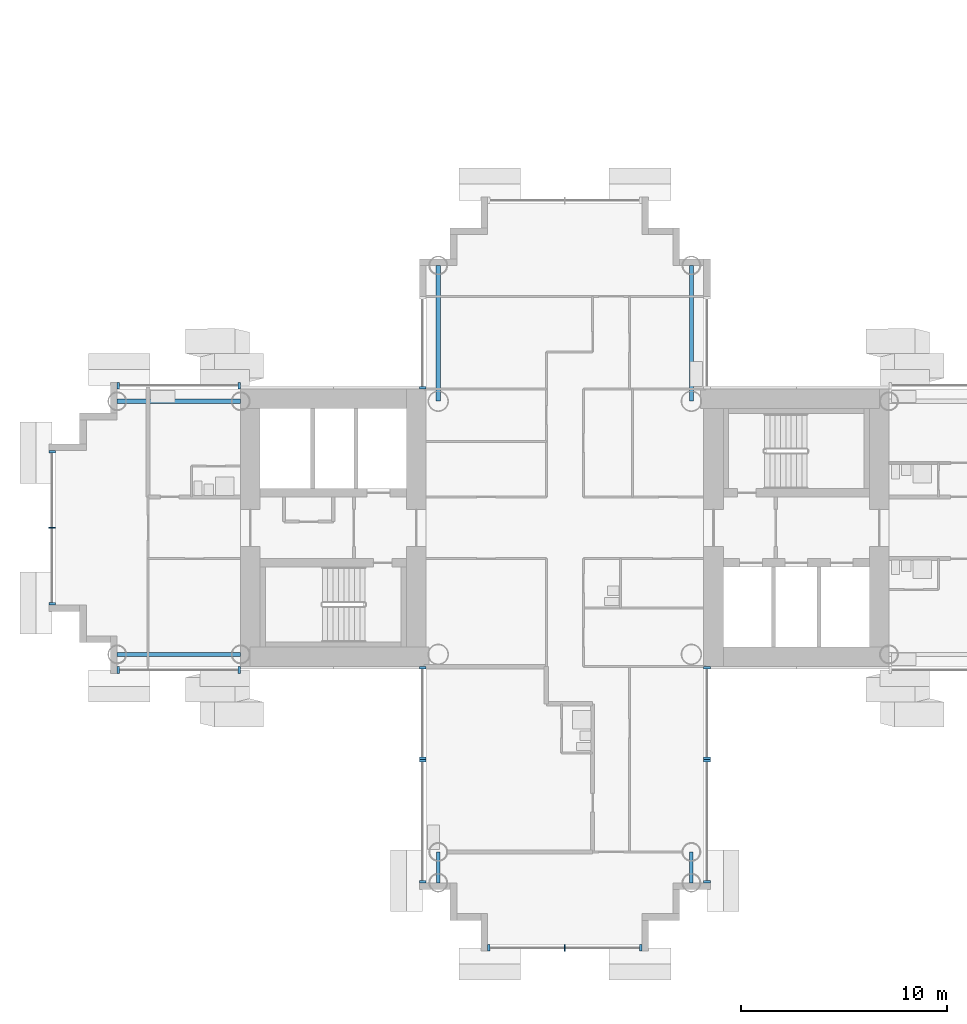
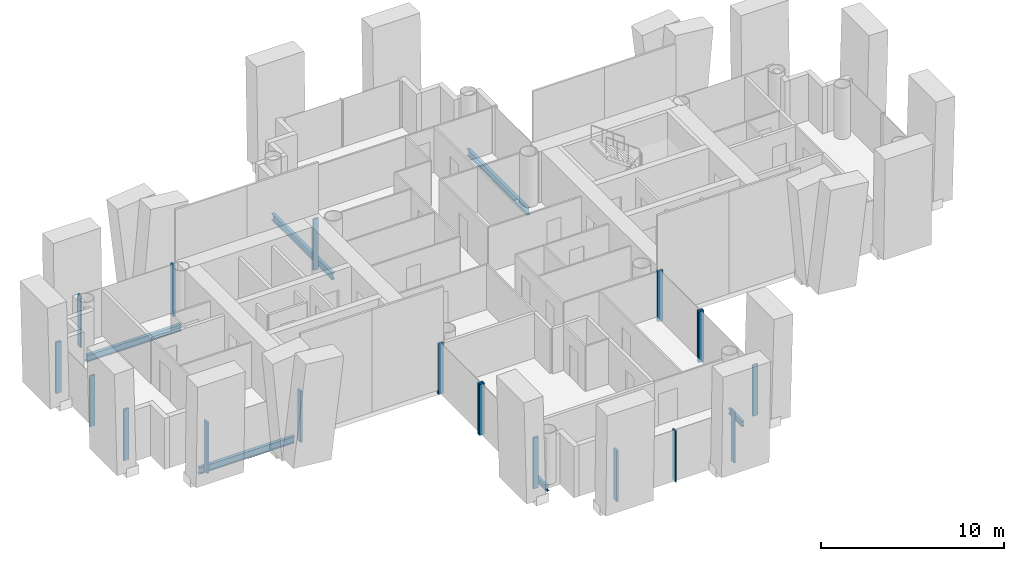
# One storey, part 3 of 20: 19 members, 6 beams, 9 elements without a shape of their own.
"""IFC4 building model written with IfcOpenShell, lengths in metres."""

from ifc_helpers import new_model, si_unit, direction, frame, origin, origin_2d, place, context, subcontext, project, spatial, rectangle, i_section, extrude, material, layer, layer_set, material_profile, profile_set, type_object, element, aggregate, save


model = new_model("IFC4")

# Units and contexts
model_context = context("Model", 3, precision=1e-05, world=origin(), true_north=direction((0.0, 1.0)))
body_context = subcontext(model_context, "Body", "Model", "MODEL_VIEW")
ifc_project = project(units=[si_unit("LENGTHUNIT", "METRE"), si_unit("AREAUNIT", "SQUARE_METRE"), si_unit("VOLUMEUNIT", "CUBIC_METRE"), si_unit("PLANEANGLEUNIT", "RADIAN"), si_unit("MASSUNIT", "GRAM", prefix="KILO")], contexts=[model_context])

# Site, building, storey
site_placement = place(None, origin())
site = spatial("IfcSite", under=ifc_project, at=site_placement, CompositionType="ELEMENT")
building_placement = place(site_placement, origin())
building = spatial("IfcBuilding", under=site, at=building_placement, Name="Ipe Terrace Towers", CompositionType="ELEMENT")
storey_placement = place(building_placement, frame((0.0, 0.0, 100.39990234375)))
storey = spatial("IfcBuildingStorey", under=building, at=storey_placement, Name="L27", CompositionType="ELEMENT", Elevation=100.39990234375)

# Beams
ifc_material_1 = material(Name="Steel S355", Category="steel")
ifc_material_profile_1 = material_profile(ifc_material_1, i_section(OverallWidth=0.175048828125, OverallDepth=0.35009765625, WebThickness=0.007080078125, FlangeThickness=0.010986328125, at=origin_2d()), Name="H-350x175x7x11")
ifc_profile_set_1 = profile_set([ifc_material_profile_1], Name="Steel S355")
beam_type_1 = type_object("IfcBeamType", Name="H04 EDGE BEAM H-350x175x7x11", PredefinedType="BEAM", material=ifc_profile_set_1)
for number, where, z_axis, x_axis, name in (
    (1, (-42.14990234375, -15.75, -0.574951171875), (0.0, -1.0, 0.0), (1.0, 0.0, 0.0), "Edge beam T1-EB-D03-D05"),
    (2, (-29.85009765625, -15.75, -0.574951171875), (0.0, -1.0, 0.0), (1.0, 0.0, 0.0), "Edge beam T1-EB-D04-D06"),
):
    element("IfcBeam", number, at=place(storey_placement, frame(where, z_axis=z_axis, x_axis=x_axis)), inside=storey, type_object=beam_type_1, Name=name, PredefinedType="BEAM", context=body_context, shape_type="SweptSolid", body=[
        extrude(i_section(OverallWidth=0.175048828125, OverallDepth=0.35009765625, WebThickness=0.007080078125, FlangeThickness=0.010986328125, at=origin_2d()), origin(), (0.0, 0.0, 1.0), 1.5),
    ])
ifc_material_2 = material(Name="Steel S355", Category="steel")
ifc_material_profile_2 = material_profile(ifc_material_2, i_section(OverallWidth=0.199951171875, OverallDepth=0.449951171875, WebThickness=0.009033203125, FlangeThickness=0.013916015625, at=origin_2d()), Name="H-450x200x9x14")
ifc_profile_set_2 = profile_set([ifc_material_profile_2], Name="Steel S355")
beam_type_2 = type_object("IfcBeamType", Name="H08 EDGE BEAM H-450x200x9x14", PredefinedType="BEAM", material=ifc_profile_set_2)
for number, where, z_axis, x_axis, name in (
    (3, (-29.85009765625, 12.75, -0.625), (0.0, -1.0, 0.0), (1.0, 0.0, 0.0), "Edge beam T1-EB-B01-E03"),
    (4, (-42.14990234375, 12.75, -0.625), (0.0, -1.0, 0.0), (1.0, 0.0, 0.0), "Edge beam T1-EB-B02-E04"),
):
    element("IfcBeam", number, at=place(storey_placement, frame(where, z_axis=z_axis, x_axis=x_axis)), inside=storey, type_object=beam_type_2, Name=name, PredefinedType="BEAM", context=body_context, shape_type="SweptSolid", body=[
        extrude(i_section(OverallWidth=0.199951171875, OverallDepth=0.449951171875, WebThickness=0.009033203125, FlangeThickness=0.013916015625, at=origin_2d()), origin(), (0.0, 0.0, 1.0), 6.60009765625),
    ])
for number, where, z_axis, x_axis, name in (
    (5, (-51.75, -6.14990234375, -0.625), (-1.0, 0.0, 0.0), (0.0, -1.0, 0.0), "Edge beam T1-EB-C01-C03"),
    (6, (-51.75, 6.14990234375, -0.625), (-1.0, 0.0, 0.0), (0.0, -1.0, 0.0), "Edge beam T1-EB-C02-C04"),
):
    element("IfcBeam", number, at=place(storey_placement, frame(where, z_axis=z_axis, x_axis=x_axis)), inside=storey, type_object=beam_type_2, Name=name, PredefinedType="BEAM", context=body_context, shape_type="SweptSolid", body=[
        extrude(i_section(OverallWidth=0.199951171875, OverallDepth=0.449951171875, WebThickness=0.009033203125, FlangeThickness=0.013916015625, at=origin_2d()), origin(), (0.0, 0.0, 1.0), 6.0),
    ])

# Curtain wall, members
ifc_material_3 = material(Name="Aluminium alloy 6063-T6", Category="aluminium")
ifc_layer = layer(ifc_material_3, 0.320068359375)
ifc_layer_set = layer_set([ifc_layer], Name="TOWER UNITISED CURTAIN WALL")
curtain_wall_type = type_object("IfcCurtainWallType", Name="TOWER UNITISED CURTAIN WALL", PredefinedType="NOTDEFINED", material=ifc_layer_set)
curtain_wall_1_placement = place(storey_placement, origin())
curtain_wall_1 = element("IfcCurtainWall", 7, at=curtain_wall_1_placement, inside=storey, type_object=curtain_wall_type, Name="T1-CW-L27-04a curtain wall", PredefinedType="NOTDEFINED")
ifc_material_4 = material(Name="Aluminium alloy 6063-T6", Category="aluminium")
ifc_material_profile_3 = material_profile(ifc_material_4, rectangle(XDim=0.320068359375, YDim=0.1201171875, at=origin_2d()), Name="TOWER UNITISED CORNER MULLION 320 x 120")
ifc_profile_set_3 = profile_set([ifc_material_profile_3], Name="Aluminium alloy 6063-T6")
member_type_1 = type_object("IfcMemberType", Name="TOWER UNITISED CORNER MULLION 320 x 120", PredefinedType="MULLION", material=ifc_profile_set_3)
member_1_placement = place(storey_placement, frame((-57.68994140625, -6.909912109375, -0.2998046875), z_axis=(0.0, 0.0, 1.0), x_axis=(0.0, -1.0, 0.0)))
member_1 = element("IfcMember", 8, at=member_1_placement, type_object=member_type_1, Name="T1-CW-L27-04a mullion 1", PredefinedType="MULLION", context=body_context, shape_type="SweptSolid", body=[
    extrude(rectangle(XDim=0.320068359375, YDim=0.1201171875, at=origin_2d()), origin(), (0.0, 0.0, 1.0), 3.39990234375),
])
member_2_placement = place(storey_placement, frame((-51.81103515625, -6.909912109375, -0.2998046875), z_axis=(0.0, 0.0, 1.0), x_axis=(0.0, -1.0, 0.0)))
member_2 = element("IfcMember", 9, at=member_2_placement, type_object=member_type_1, Name="T1-CW-L27-04a mullion 2", PredefinedType="MULLION", context=body_context, shape_type="SweptSolid", body=[
    extrude(rectangle(XDim=0.320068359375, YDim=0.1201171875, at=origin_2d()), origin(), (0.0, 0.0, 1.0), 3.39990234375),
])
aggregate(curtain_wall_1, [member_1, member_2])

curtain_wall_2_placement = place(storey_placement, origin())
curtain_wall_2 = element("IfcCurtainWall", 10, at=curtain_wall_2_placement, inside=storey, type_object=curtain_wall_type, Name="T1-CW-L27-06a curtain wall", PredefinedType="NOTDEFINED")
member_3_placement = place(storey_placement, frame((-42.909912109375, -6.81005859375, -0.2998046875), z_axis=(0.0, 0.0, 1.0), x_axis=(-1.0, 0.0, 0.0)))
member_3 = element("IfcMember", 11, at=member_3_placement, type_object=member_type_1, Name="T1-CW-L27-06a mullion 1", PredefinedType="MULLION", context=body_context, shape_type="SweptSolid", body=[
    extrude(rectangle(XDim=0.320068359375, YDim=0.1201171875, at=origin_2d()), origin(), (0.0, 0.0, 1.0), 3.39990234375),
])
member_4_placement = place(storey_placement, frame((-42.909912109375, -11.18994140625, -0.2998046875), z_axis=(0.0, 0.0, 1.0), x_axis=(-1.0, 0.0, 0.0)))
member_4 = element("IfcMember", 12, at=member_4_placement, type_object=member_type_1, Name="T1-CW-L27-06a mullion 2", PredefinedType="MULLION", context=body_context, shape_type="SweptSolid", body=[
    extrude(rectangle(XDim=0.320068359375, YDim=0.1201171875, at=origin_2d()), origin(), (0.0, 0.0, 1.0), 3.39990234375),
])
aggregate(curtain_wall_2, [member_3, member_4])

curtain_wall_3_placement = place(storey_placement, origin())
curtain_wall_3 = element("IfcCurtainWall", 13, at=curtain_wall_3_placement, inside=storey, type_object=curtain_wall_type, Name="T1-CW-L27-07a curtain wall", PredefinedType="NOTDEFINED")
member_5_placement = place(storey_placement, frame((-42.909912109375, -11.31005859375, -0.2998046875), z_axis=(0.0, 0.0, 1.0), x_axis=(-1.0, 0.0, 0.0)))
member_5 = element("IfcMember", 14, at=member_5_placement, type_object=member_type_1, Name="T1-CW-L27-07a mullion 1", PredefinedType="MULLION", context=body_context, shape_type="SweptSolid", body=[
    extrude(rectangle(XDim=0.320068359375, YDim=0.1201171875, at=origin_2d()), origin(), (0.0, 0.0, 1.0), 3.39990234375),
])
member_6_placement = place(storey_placement, frame((-42.909912109375, -17.18994140625, -0.2998046875), z_axis=(0.0, 0.0, 1.0), x_axis=(-1.0, 0.0, 0.0)))
member_6 = element("IfcMember", 15, at=member_6_placement, type_object=member_type_1, Name="T1-CW-L27-07a mullion 2", PredefinedType="MULLION", context=body_context, shape_type="SweptSolid", body=[
    extrude(rectangle(XDim=0.320068359375, YDim=0.1201171875, at=origin_2d()), origin(), (0.0, 0.0, 1.0), 3.39990234375),
])
aggregate(curtain_wall_3, [member_5, member_6])

curtain_wall_4_placement = place(storey_placement, origin())
curtain_wall_4 = element("IfcCurtainWall", 16, at=curtain_wall_4_placement, inside=storey, type_object=curtain_wall_type, Name="T1-CW-L27-12a curtain wall", PredefinedType="NOTDEFINED")
member_7_placement = place(storey_placement, frame((-39.68994140625, -20.409912109375, -0.2998046875), z_axis=(0.0, 0.0, 1.0), x_axis=(0.0, -1.0, 0.0)))
member_7 = element("IfcMember", 17, at=member_7_placement, type_object=member_type_1, Name="T1-CW-L27-12a mullion 1", PredefinedType="MULLION", context=body_context, shape_type="SweptSolid", body=[
    extrude(rectangle(XDim=0.320068359375, YDim=0.1201171875, at=origin_2d()), origin(), (0.0, 0.0, 1.0), 3.39990234375),
])
member_8_placement = place(storey_placement, frame((-32.31005859375, -20.409912109375, -0.2998046875), z_axis=(0.0, 0.0, 1.0), x_axis=(0.0, -1.0, 0.0)))
member_8 = element("IfcMember", 18, at=member_8_placement, type_object=member_type_1, Name="T1-CW-L27-12a mullion 3", PredefinedType="MULLION", context=body_context, shape_type="SweptSolid", body=[
    extrude(rectangle(XDim=0.320068359375, YDim=0.1201171875, at=origin_2d()), origin(), (0.0, 0.0, 1.0), 3.39990234375),
])

curtain_wall_5_placement = place(storey_placement, origin())
curtain_wall_5 = element("IfcCurtainWall", 19, at=curtain_wall_5_placement, inside=storey, type_object=curtain_wall_type, Name="T1-CW-L27-17a curtain wall", PredefinedType="NOTDEFINED")
member_9_placement = place(storey_placement, frame((-29.090087890625, -17.18994140625, -0.2998046875), z_axis=(0.0, 0.0, 1.0), x_axis=(1.0, 0.0, 0.0)))
member_9 = element("IfcMember", 20, at=member_9_placement, type_object=member_type_1, Name="T1-CW-L27-17a mullion 1", PredefinedType="MULLION", context=body_context, shape_type="SweptSolid", body=[
    extrude(rectangle(XDim=0.320068359375, YDim=0.1201171875, at=origin_2d()), origin(), (0.0, 0.0, 1.0), 3.39990234375),
])
member_10_placement = place(storey_placement, frame((-29.090087890625, -11.31005859375, -0.2998046875), z_axis=(0.0, 0.0, 1.0), x_axis=(1.0, 0.0, 0.0)))
member_10 = element("IfcMember", 21, at=member_10_placement, type_object=member_type_1, Name="T1-CW-L27-17a mullion 2", PredefinedType="MULLION", context=body_context, shape_type="SweptSolid", body=[
    extrude(rectangle(XDim=0.320068359375, YDim=0.1201171875, at=origin_2d()), origin(), (0.0, 0.0, 1.0), 3.39990234375),
])
aggregate(curtain_wall_5, [member_9, member_10])

curtain_wall_6_placement = place(storey_placement, origin())
curtain_wall_6 = element("IfcCurtainWall", 22, at=curtain_wall_6_placement, inside=storey, type_object=curtain_wall_type, Name="T1-CW-L27-18a curtain wall", PredefinedType="NOTDEFINED")
member_11_placement = place(storey_placement, frame((-29.090087890625, -11.18994140625, -0.2998046875), z_axis=(0.0, 0.0, 1.0), x_axis=(1.0, 0.0, 0.0)))
member_11 = element("IfcMember", 23, at=member_11_placement, type_object=member_type_1, Name="T1-CW-L27-18a mullion 1", PredefinedType="MULLION", context=body_context, shape_type="SweptSolid", body=[
    extrude(rectangle(XDim=0.320068359375, YDim=0.1201171875, at=origin_2d()), origin(), (0.0, 0.0, 1.0), 3.39990234375),
])
member_12_placement = place(storey_placement, frame((-29.090087890625, -6.81005859375, -0.2998046875), z_axis=(0.0, 0.0, 1.0), x_axis=(1.0, 0.0, 0.0)))
member_12 = element("IfcMember", 24, at=member_12_placement, type_object=member_type_1, Name="T1-CW-L27-18a mullion 2", PredefinedType="MULLION", context=body_context, shape_type="SweptSolid", body=[
    extrude(rectangle(XDim=0.320068359375, YDim=0.1201171875, at=origin_2d()), origin(), (0.0, 0.0, 1.0), 3.39990234375),
])
aggregate(curtain_wall_6, [member_11, member_12])

# Curtain wall, member
curtain_wall_7_placement = place(storey_placement, origin())
curtain_wall_7 = element("IfcCurtainWall", 25, at=curtain_wall_7_placement, inside=storey, type_object=curtain_wall_type, Name="T1-CW-L27-44a curtain wall", PredefinedType="NOTDEFINED")
member_13_placement = place(storey_placement, frame((-42.909912109375, 6.81005859375, -0.2998046875), z_axis=(0.0, 0.0, 1.0), x_axis=(-1.0, 0.0, 0.0)))
member_13 = element("IfcMember", 26, at=member_13_placement, type_object=member_type_1, Name="T1-CW-L27-44a mullion 2", PredefinedType="MULLION", context=body_context, shape_type="SweptSolid", body=[
    extrude(rectangle(XDim=0.320068359375, YDim=0.1201171875, at=origin_2d()), origin(), (0.0, 0.0, 1.0), 3.39990234375),
])
aggregate(curtain_wall_7, [member_13])

# Curtain wall, members
curtain_wall_8_placement = place(storey_placement, origin())
curtain_wall_8 = element("IfcCurtainWall", 27, at=curtain_wall_8_placement, inside=storey, type_object=curtain_wall_type, Name="T1-CW-L27-46b curtain wall", PredefinedType="NOTDEFINED")
member_14_placement = place(storey_placement, frame((-51.81103515625, 6.909912109375, -0.2998046875), z_axis=(0.0, 0.0, 1.0), x_axis=(0.0, 1.0, 0.0)))
member_14 = element("IfcMember", 28, at=member_14_placement, type_object=member_type_1, Name="T1-CW-L27-46b mullion 1", PredefinedType="MULLION", context=body_context, shape_type="SweptSolid", body=[
    extrude(rectangle(XDim=0.320068359375, YDim=0.1201171875, at=origin_2d()), origin(), (0.0, 0.0, 1.0), 3.39990234375),
])
member_15_placement = place(storey_placement, frame((-57.68994140625, 6.909912109375, -0.2998046875), z_axis=(0.0, 0.0, 1.0), x_axis=(0.0, 1.0, 0.0)))
member_15 = element("IfcMember", 29, at=member_15_placement, type_object=member_type_1, Name="T1-CW-L27-46b mullion 2", PredefinedType="MULLION", context=body_context, shape_type="SweptSolid", body=[
    extrude(rectangle(XDim=0.320068359375, YDim=0.1201171875, at=origin_2d()), origin(), (0.0, 0.0, 1.0), 3.39990234375),
])
aggregate(curtain_wall_8, [member_14, member_15])

curtain_wall_9_placement = place(storey_placement, origin())
curtain_wall_9 = element("IfcCurtainWall", 30, at=curtain_wall_9_placement, inside=storey, type_object=curtain_wall_type, Name="T1-CW-L27-51a curtain wall", PredefinedType="NOTDEFINED")
member_16_placement = place(storey_placement, frame((-60.909912109375, 3.68994140625, -0.2998046875), z_axis=(0.0, 0.0, 1.0), x_axis=(-1.0, 0.0, 0.0)))
member_16 = element("IfcMember", 31, at=member_16_placement, type_object=member_type_1, Name="T1-CW-L27-51a mullion 1", PredefinedType="MULLION", context=body_context, shape_type="SweptSolid", body=[
    extrude(rectangle(XDim=0.320068359375, YDim=0.1201171875, at=origin_2d()), origin(), (0.0, 0.0, 1.0), 3.39990234375),
])
member_17_placement = place(storey_placement, frame((-60.909912109375, -3.68994140625, -0.2998046875), z_axis=(0.0, 0.0, 1.0), x_axis=(-1.0, 0.0, 0.0)))
member_17 = element("IfcMember", 32, at=member_17_placement, type_object=member_type_1, Name="T1-CW-L27-51a mullion 3", PredefinedType="MULLION", context=body_context, shape_type="SweptSolid", body=[
    extrude(rectangle(XDim=0.320068359375, YDim=0.1201171875, at=origin_2d()), origin(), (0.0, 0.0, 1.0), 3.39990234375),
])

# Member
ifc_material_5 = material(Name="Aluminium alloy 6063-T6", Category="aluminium")
ifc_material_profile_4 = material_profile(ifc_material_5, rectangle(XDim=0.320068359375, YDim=0.06494140625, at=origin_2d()), Name="TOWER UNITISED MULLION 320 x 65")
ifc_profile_set_4 = profile_set([ifc_material_profile_4], Name="Aluminium alloy 6063-T6")
member_type_2 = type_object("IfcMemberType", Name="TOWER UNITISED MULLION 320 x 65", PredefinedType="MULLION", material=ifc_profile_set_4)
member_18_placement = place(storey_placement, frame((-36.0, -20.409912109375, -0.2998046875), z_axis=(0.0, 0.0, 1.0), x_axis=(0.0, -1.0, 0.0)))
member_18 = element("IfcMember", 33, at=member_18_placement, type_object=member_type_2, Name="T1-CW-L27-12a mullion 2", PredefinedType="MULLION", context=body_context, shape_type="SweptSolid", body=[
    extrude(rectangle(XDim=0.320068359375, YDim=0.06494140625, at=origin_2d()), origin(), (0.0, 0.0, 1.0), 3.39990234375),
])

aggregate(curtain_wall_4, [member_7, member_18, member_8])

member_19_placement = place(storey_placement, frame((-60.909912109375, 0.0, -0.2998046875), z_axis=(0.0, 0.0, 1.0), x_axis=(-1.0, 0.0, 0.0)))
member_19 = element("IfcMember", 34, at=member_19_placement, type_object=member_type_2, Name="T1-CW-L27-51a mullion 2", PredefinedType="MULLION", context=body_context, shape_type="SweptSolid", body=[
    extrude(rectangle(XDim=0.320068359375, YDim=0.06494140625, at=origin_2d()), origin(), (0.0, 0.0, 1.0), 3.39990234375),
])

aggregate(curtain_wall_9, [member_16, member_19, member_17])

save(model, "model.ifc")
